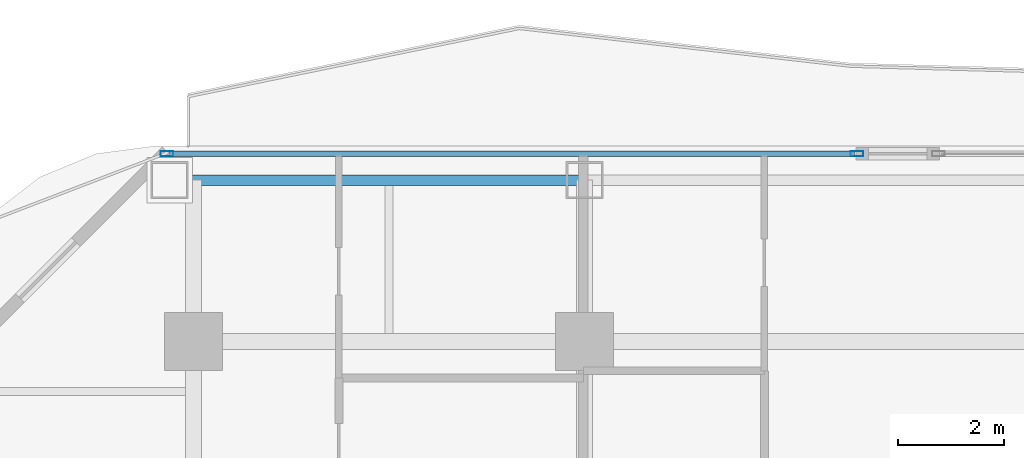
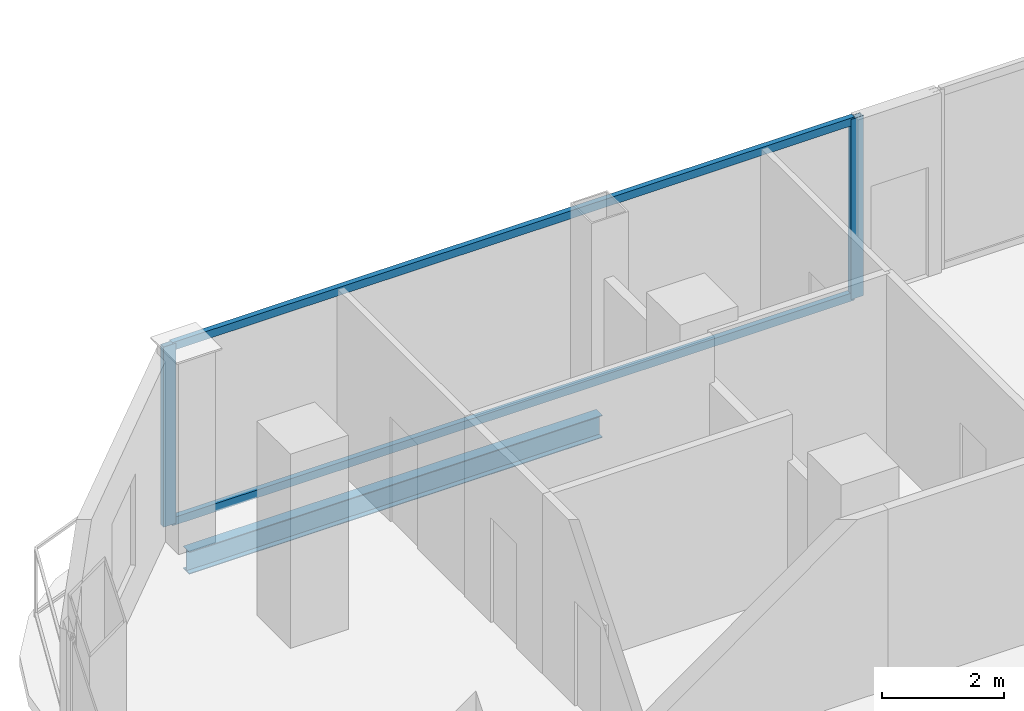
# One storey, part 14 of 27: 4 members, 1 beam, 1 element without a shape of its own.
"""IFC4 building model written with IfcOpenShell, lengths in metres."""

from ifc_helpers import new_model, si_unit, direction, frame, origin, origin_2d, place, context, subcontext, project, spatial, hollow_rectangle, i_section, extrude, material, layer, layer_set, material_profile, profile_set, type_object, element, aggregate, save


model = new_model("IFC4")

# Units and contexts
model_context = context("Model", 3, precision=1e-05, world=origin(), true_north=direction((0.0, 1.0)))
body_context = subcontext(model_context, "Body", "Model", "MODEL_VIEW")
ifc_project = project(units=[si_unit("LENGTHUNIT", "METRE"), si_unit("AREAUNIT", "SQUARE_METRE"), si_unit("VOLUMEUNIT", "CUBIC_METRE"), si_unit("PLANEANGLEUNIT", "RADIAN"), si_unit("MASSUNIT", "GRAM", prefix="KILO")], contexts=[model_context])

# Site, building, storey
site_placement = place(None, origin())
site = spatial("IfcSite", under=ifc_project, at=site_placement, CompositionType="ELEMENT")
building_placement = place(site_placement, origin())
building = spatial("IfcBuilding", under=site, at=building_placement, Name="Khorvyn Point Tower", CompositionType="ELEMENT")
storey_placement = place(building_placement, frame((0.0, 0.0, 164.10009765625)))
storey = spatial("IfcBuildingStorey", under=building, at=storey_placement, Name="L40", CompositionType="ELEMENT", Elevation=164.10009765625)

# Curtain wall, members
ifc_material_1 = material(Name="Anodised aluminium 6063-T6 and laminated Low-E glass", Category="aluminium")
ifc_layer = layer(ifc_material_1, 0.18994140625)
ifc_layer_set = layer_set([ifc_layer], Name="Stick-Built Acoustic Curtain Wall CW-SYS-03")
curtain_wall_type = type_object("IfcCurtainWallType", Name="Stick-Built Acoustic Curtain Wall CW-SYS-03", PredefinedType="NOTDEFINED", material=ifc_layer_set)
curtain_wall_placement = place(storey_placement, origin())
curtain_wall = element("IfcCurtainWall", 1, at=curtain_wall_placement, inside=storey, type_object=curtain_wall_type, Name="Curtain Wall", PredefinedType="NOTDEFINED")
ifc_material_2 = material(Name="Anodised aluminium 6063-T6", Category="aluminium")
ifc_material_profile_1 = material_profile(ifc_material_2, hollow_rectangle(XDim=0.10009765625, YDim=0.239990234375, WallThickness=0.0048828125, at=origin_2d()))
ifc_profile_set_1 = profile_set([ifc_material_profile_1], Name="Anodised aluminium 6063-T6 ALU-MUL-100x240")
member_type_1 = type_object("IfcMemberType", Name="Anodised Aluminium 6063-T6 Mullion ALU-MUL-100x240", PredefinedType="MULLION", material=ifc_profile_set_1)
member_1_placement = place(storey_placement, frame((-15.300048828125, 23.64990234375, 0.0), z_axis=(0.0, 0.0, 1.0), x_axis=(0.0, 1.0, 0.0)))
member_1 = element("IfcMember", 2, at=member_1_placement, type_object=member_type_1, Name="Transom", PredefinedType="MULLION", context=body_context, shape_type="SweptSolid", body=[
    extrude(hollow_rectangle(XDim=0.10009765625, YDim=0.239990234375, WallThickness=0.0048828125, at=origin_2d()), origin(), (0.0, 0.0, 1.0), 3.619873046875),
])
member_2_placement = place(storey_placement, frame((-2.24609375, 23.64990234375, 0.0), z_axis=(0.0, 0.0, 1.0), x_axis=(0.0, 1.0, 0.0)))
member_2 = element("IfcMember", 3, at=member_2_placement, type_object=member_type_1, Name="Transom", PredefinedType="MULLION", context=body_context, shape_type="SweptSolid", body=[
    extrude(hollow_rectangle(XDim=0.10009765625, YDim=0.239990234375, WallThickness=0.0048828125, at=origin_2d()), origin(), (0.0, 0.0, 1.0), 3.619873046875),
])
ifc_material_profile_2 = material_profile(ifc_material_2, hollow_rectangle(XDim=0.10009765625, YDim=0.159912109375, WallThickness=0.00439453125, at=origin_2d()))
ifc_profile_set_2 = profile_set([ifc_material_profile_2], Name="Anodised aluminium 6063-T6 ALU-TRN-100x160")
member_type_2 = type_object("IfcMemberType", Name="Anodised Aluminium 6063-T6 Transom ALU-TRN-100x160", PredefinedType="USERDEFINED", material=ifc_profile_set_2)
member_3_placement = place(storey_placement, frame((-15.25, 23.64990234375, 0.0498046875), z_axis=(1.0, 0.0, 0.0), x_axis=(0.0, 1.0, 0.0)))
member_3 = element("IfcMember", 4, at=member_3_placement, type_object=member_type_2, Name="Transom", ObjectType="TRANSOM", PredefinedType="USERDEFINED", context=body_context, shape_type="SweptSolid", body=[
    extrude(hollow_rectangle(XDim=0.10009765625, YDim=0.159912109375, WallThickness=0.00439453125, at=origin_2d()), origin(), (0.0, 0.0, 1.0), 12.9541015625),
])
member_4_placement = place(storey_placement, frame((-15.25, 23.64990234375, 3.56982421875), z_axis=(1.0, 0.0, 0.0), x_axis=(0.0, 1.0, 0.0)))
member_4 = element("IfcMember", 5, at=member_4_placement, type_object=member_type_2, Name="Transom", ObjectType="TRANSOM", PredefinedType="USERDEFINED", context=body_context, shape_type="SweptSolid", body=[
    extrude(hollow_rectangle(XDim=0.10009765625, YDim=0.159912109375, WallThickness=0.00439453125, at=origin_2d()), origin(), (0.0, 0.0, 1.0), 12.9541015625),
])
aggregate(curtain_wall, [member_1, member_2, member_3, member_4])

# Beam
ifc_material_3 = material(Name="Steel S355", Category="steel")
ifc_material_profile_3 = material_profile(ifc_material_3, i_section(OverallWidth=0.199951171875, OverallDepth=0.449951171875, WebThickness=0.009033203125, FlangeThickness=0.013916015625, at=origin_2d()))
ifc_profile_set_3 = profile_set([ifc_material_profile_3], Name="Steel S355 H450x200x9x14")
beam_type = type_object("IfcBeamType", Name="Steel S355 Spandrel H450x200x9x14", PredefinedType="SPANDREL", material=ifc_profile_set_3)
beam_placement = place(storey_placement, frame((-15.25, 23.14990234375, -0.445068359375), z_axis=(1.0, 0.0, 0.0), x_axis=(0.0, 1.0, 0.0)))
element("IfcBeam", 6, at=beam_placement, inside=storey, type_object=beam_type, Name="Beam", PredefinedType="SPANDREL", context=body_context, shape_type="SweptSolid", body=[
    extrude(i_section(OverallWidth=0.199951171875, OverallDepth=0.449951171875, WebThickness=0.009033203125, FlangeThickness=0.013916015625, at=origin_2d()), origin(), (0.0, 0.0, 1.0), 7.85009765625),
])

save(model, "model.ifc")
